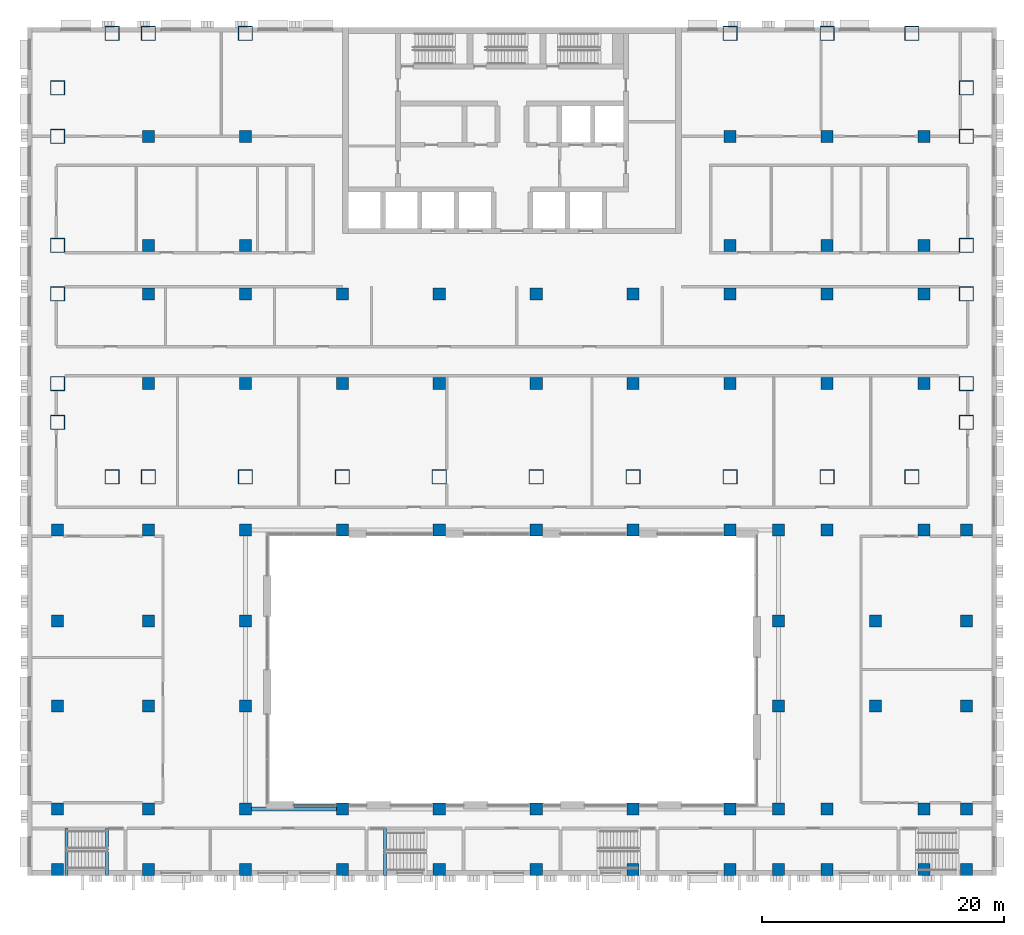
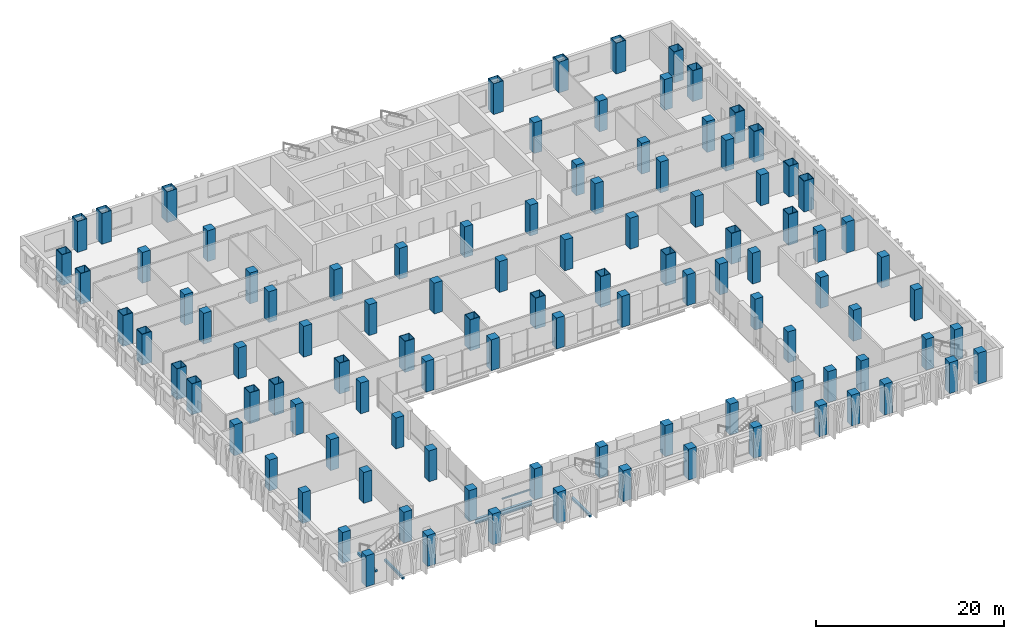
# One storey, part 1 of 26: 104 columns, 4 beams, 1 member, 1 element without a shape of its own.
"""IFC4 building model written with IfcOpenShell, lengths in metres."""

import ifcopenshell
import ifcopenshell.guid

model = None  # the IFC model being written
_history = None  # IfcOwnerHistory: only IFC2X3 demands one
_inside = {}  # id of a spatial element -> (the spatial element, [elements in it])
_under = {}  # id of a project, library or spatial element -> (it, [spatial elements below it])
_declared = {}  # id of a project -> (the project, [libraries it declares])
_typed = {}  # id of a type object -> (the type object, [elements of that type])
_made_of = {}  # id of a material, layer set ... -> (it, [elements and type objects made of it])


def new_model(schema):
    """Start an empty IFC model of exactly this schema.

    Asked for "IFC4X3", IfcOpenShell would pick the latest addendum, in which some entities
    have other attributes; the version numbers below select the first issue.
    IFC2X3 requires an IfcOwnerHistory on every rooted entity: one is made here for all.
    """
    global model, _history
    if schema == "IFC4X3":
        model = ifcopenshell.file(schema_version=(4, 3, 0, 0))
    else:
        model = ifcopenshell.file(schema=schema)
    _inside.clear()
    _under.clear()
    _declared.clear()
    _typed.clear()
    _made_of.clear()
    _history = None
    if model.schema == "IFC2X3":
        org = make("IfcOrganization", Name="unknown")
        user = make(
            "IfcPersonAndOrganization",
            ThePerson=make("IfcPerson", FamilyName="unknown"),
            TheOrganization=org,
        )
        app = make(
            "IfcApplication",
            ApplicationDeveloper=org,
            Version="unknown",
            ApplicationFullName="unknown",
            ApplicationIdentifier="unknown",
        )
        _history = make(
            "IfcOwnerHistory",
            OwningUser=user,
            OwningApplication=app,
            ChangeAction="ADDED",
            CreationDate=0,
        )
    return model


def make(cls, **values):
    """One entity of the class cls with the attributes given. An attribute that is None is left unset."""
    return model.create_entity(
        cls, **{name: value for name, value in values.items() if value is not None}
    )


def rooted(cls, **values):
    """An entity with a GlobalId (a new one), such as an element, a storey or a relation."""
    return make(cls, GlobalId=ifcopenshell.guid.new(), OwnerHistory=_history, **values)


def si_unit(unit_type, name, prefix=None):
    """IfcSIUnit, for example si_unit("LENGTHUNIT", "METRE", prefix="MILLI")."""
    return make("IfcSIUnit", UnitType=unit_type, Prefix=prefix, Name=name)


def assignment(units):
    """IfcUnitAssignment: the units of a project."""
    return None if units is None else make("IfcUnitAssignment", Units=units)


def point(xyz):
    """IfcCartesianPoint."""
    return None if xyz is None else make("IfcCartesianPoint", Coordinates=xyz)


def direction(xyz):
    """IfcDirection."""
    return None if xyz is None else make("IfcDirection", DirectionRatios=xyz)


def frame(location, z_axis=None, x_axis=None):
    """IfcAxis2Placement3D, a coordinate frame: its origin and axes. An axis left out is left unset."""
    return make(
        "IfcAxis2Placement3D",
        Location=point(location),
        Axis=direction(z_axis),
        RefDirection=direction(x_axis),
    )


def frame_2d(location, x_axis=None):
    """IfcAxis2Placement2D, a coordinate frame in the plane: its origin and x axis."""
    return make(
        "IfcAxis2Placement2D", Location=point(location), RefDirection=direction(x_axis)
    )


def origin():
    """The frame at (0, 0, 0) with its axes left unset."""
    return frame((0.0, 0.0, 0.0))


def origin_2d():
    """The frame at (0, 0) in the plane with its x axis left unset."""
    return frame_2d((0.0, 0.0))


def place(relative_to, where):
    """IfcLocalPlacement: puts the frame where relative to a parent placement (None: the world)."""
    return make(
        "IfcLocalPlacement", PlacementRelTo=relative_to, RelativePlacement=where
    )


def context(
    kind, dimensions, precision=None, world=None, true_north=None, identifier=None
):
    """IfcGeometricRepresentationContext, for example the 3D "Model" context."""
    return make(
        "IfcGeometricRepresentationContext",
        ContextIdentifier=identifier,
        ContextType=kind,
        CoordinateSpaceDimension=dimensions,
        Precision=precision,
        WorldCoordinateSystem=world,
        TrueNorth=true_north,
    )


def subcontext(parent, identifier, kind, view, scale=None):
    """IfcGeometricRepresentationSubContext, for example "Body" below "Model"."""
    return make(
        "IfcGeometricRepresentationSubContext",
        ContextIdentifier=identifier,
        ContextType=kind,
        ParentContext=parent,
        TargetScale=scale,
        TargetView=view,
    )


def project(units=None, contexts=None):
    """IfcProject with its units and contexts."""
    return rooted(
        "IfcProject",
        Name="project",
        RepresentationContexts=contexts,
        UnitsInContext=assignment(units),
    )


def spatial(cls, under=None, at=None, **own):
    """A site, building, storey or space (cls), placed at a placement, below another one or the project."""
    s = rooted(cls, ObjectPlacement=at, **own)
    if under is not None:
        _under.setdefault(under.id(), (under, []))[1].append(s)
    return s


def profile(cls, at=None, kind="AREA", **sizes):
    """A parametric profile (cls). Its sizes go by their IFC names, for example OverallWidth=200.0."""
    return make(cls, ProfileType=kind, Position=at, **sizes)


def rectangle(**sizes):
    """IfcRectangleProfileDef."""
    return profile("IfcRectangleProfileDef", **sizes)


def hollow_rectangle(**sizes):
    """IfcRectangleHollowProfileDef."""
    return profile("IfcRectangleHollowProfileDef", **sizes)


def i_section(**sizes):
    """IfcIShapeProfileDef."""
    return profile("IfcIShapeProfileDef", **sizes)


def extrude(swept, where, along, depth):
    """IfcExtrudedAreaSolid: the profile swept, set in the frame where, extruded along a direction by depth."""
    return make(
        "IfcExtrudedAreaSolid",
        SweptArea=swept,
        Position=where,
        ExtrudedDirection=direction(along),
        Depth=depth,
    )


def shape(context_of_items, identifier, shape_type, items):
    """IfcShapeRepresentation: the items that make up one representation, for example the "Body"."""
    return make(
        "IfcShapeRepresentation",
        ContextOfItems=context_of_items,
        RepresentationIdentifier=identifier,
        RepresentationType=shape_type,
        Items=items,
    )


def material(Name=None, Category=None):
    """IfcMaterial."""
    return make("IfcMaterial", Name=Name, Category=Category)


def material_profile(
    of_material, cross_section, Name=None, Category=None, Priority=None
):
    """IfcMaterialProfile: a cross section and its material."""
    return make(
        "IfcMaterialProfile",
        Name=Name,
        Material=of_material,
        Profile=cross_section,
        Priority=Priority,
        Category=Category,
    )


def profile_set(profiles, Name=None, composite=None):
    """IfcMaterialProfileSet."""
    return make(
        "IfcMaterialProfileSet",
        Name=Name,
        MaterialProfiles=profiles,
        CompositeProfile=composite,
    )


def made_of(thing, what):
    """Note that an element or type object is made of a material, layer set ...; save() writes the relation."""
    if what is not None:
        _made_of.setdefault(what.id(), (what, []))[1].append(thing)
    return thing


def type_object(cls, material=None, **own):
    """A type object (cls), such as IfcWallType, which elements share."""
    return made_of(rooted(cls, **own), material)


def element(
    cls,
    number,
    at=None,
    inside=None,
    cuts=None,
    type_object=None,
    material=None,
    context=None,
    identifier="Body",
    shape_type=None,
    held_by="IfcProductDefinitionShape",
    body=None,
    shapes=None,
    **own,
):
    """One element of the class cls, such as IfcWall. Its Tag is "e" and its number.

    at: its placement. inside: the storey or other place that contains it. cuts: it is an
    opening in that element (IfcRelVoidsElement). A single representation is given by context,
    identifier, shape_type and body (its items); several are given by shapes. held_by: the class
    of the entity that holds the representations. save() writes the other relations.
    """
    e = rooted(cls, Tag="e%d" % number, ObjectPlacement=at, **own)
    if body is not None:
        shapes = [shape(context, identifier, shape_type, body)]
    if shapes is not None:
        e.Representation = make(held_by, Representations=shapes)
    if inside is not None:
        _inside.setdefault(inside.id(), (inside, []))[1].append(e)
    if cuts is not None:
        rooted(
            "IfcRelVoidsElement", RelatingBuildingElement=cuts, RelatedOpeningElement=e
        )
    if type_object is not None:
        _typed.setdefault(type_object.id(), (type_object, []))[1].append(e)
    return made_of(e, material)


def aggregate(whole, parts):
    """IfcRelAggregates: a whole, such as a stair, and the parts it consists of."""
    return rooted("IfcRelAggregates", RelatingObject=whole, RelatedObjects=parts)


def save(model, path):
    """Write the relations noted so far, then the file.

    IfcRelAggregates (storeys below a building ...), IfcRelContainedInSpatialStructure (elements
    in a storey), IfcRelDefinesByType, IfcRelAssociatesMaterial and IfcRelDeclares: one each for
    every whole, place, type object, material and project.
    """
    for whole, parts in _under.values():
        aggregate(whole, parts)
    for where, things in _inside.values():
        rooted(
            "IfcRelContainedInSpatialStructure",
            RelatedElements=things,
            RelatingStructure=where,
        )
    for kind, things in _typed.values():
        rooted("IfcRelDefinesByType", RelatedObjects=things, RelatingType=kind)
    for what, things in _made_of.values():
        rooted("IfcRelAssociatesMaterial", RelatedObjects=things, RelatingMaterial=what)
    for by, libraries in _declared.values():
        rooted("IfcRelDeclares", RelatingContext=by, RelatedDefinitions=libraries)
    model.write(path)


model = new_model("IFC4")

# Units and contexts
model_context = context("Model", 3, precision=1e-05, world=origin(), true_north=direction((0.0, 1.0)))
body_context = subcontext(model_context, "Body", "Model", "MODEL_VIEW")
ifc_project = project(units=[si_unit("LENGTHUNIT", "METRE"), si_unit("AREAUNIT", "SQUARE_METRE"), si_unit("VOLUMEUNIT", "CUBIC_METRE"), si_unit("PLANEANGLEUNIT", "RADIAN"), si_unit("MASSUNIT", "GRAM", prefix="KILO")], contexts=[model_context])

# Site, building, storey
site_placement = place(None, origin())
site = spatial("IfcSite", under=ifc_project, at=site_placement, CompositionType="ELEMENT")
building_placement = place(site_placement, origin())
building = spatial("IfcBuilding", under=site, at=building_placement, Name="Vidyagriha Tower", CompositionType="ELEMENT")
storey_placement = place(building_placement, frame((0.0, 0.0, 6.0)))
storey = spatial("IfcBuildingStorey", under=building, at=storey_placement, Name="L01", CompositionType="ELEMENT", Elevation=6.0)

# Columns
ifc_material_1 = material(Name="Steel ASTM A572 Grade 50", Category="steel")
ifc_material_profile_1 = material_profile(ifc_material_1, hollow_rectangle(XDim=1.199951171875, YDim=1.199951171875, WallThickness=0.06005859375, at=origin_2d()), Name="BOX 1200x1200x60")
ifc_profile_set_1 = profile_set([ifc_material_profile_1], Name="Steel ASTM A572 Grade 50")
column_type_1 = type_object("IfcColumnType", Name="Exoskeleton column BOX 1200x1200x60", PredefinedType="COLUMN", material=ifc_profile_set_1)
for number, where, name in (
    (1, (-33.0, -17.10009765625, 0.0), "st-col-L01-B1-001"),
    (2, (-30.0, -17.10009765625, 0.0), "st-col-L01-B1-002"),
    (3, (-22.0, -17.10009765625, 0.0), "st-col-L01-B1-003"),
    (4, (-14.0, -17.10009765625, 0.0), "st-col-L01-B1-004"),
    (5, (-6.0, -17.10009765625, 0.0), "st-col-L01-B1-005"),
    (6, (2.0, -17.10009765625, 0.0), "st-col-L01-B1-006"),
    (7, (10.0, -17.10009765625, 0.0), "st-col-L01-B1-007"),
    (8, (18.0, -17.10009765625, 0.0), "st-col-L01-B1-008"),
    (9, (26.0, -17.10009765625, 0.0), "st-col-L01-B1-009"),
    (10, (33.0, -17.10009765625, 0.0), "st-col-L01-B1-010"),
    (11, (-37.5, -12.60009765625, 0.0), "st-col-L01-B1-011"),
    (12, (37.5, -12.60009765625, 0.0), "st-col-L01-B1-012"),
    (13, (-37.5, -9.39990234375, 0.0), "st-col-L01-B1-013"),
    (14, (37.5, -9.39990234375, 0.0), "st-col-L01-B1-023"),
    (15, (-37.5, -2.0, 0.0), "st-col-L01-B1-024"),
    (16, (37.5, -2.0, 0.0), "st-col-L01-B1-034"),
    (17, (-37.5, 2.0, 0.0), "st-col-L01-B1-035"),
    (18, (37.5, 2.0, 0.0), "st-col-L01-B1-041"),
    (19, (-37.5, 11.0, 0.0), "st-col-L01-B1-042"),
    (20, (37.5, 11.0, 0.0), "st-col-L01-B1-048"),
    (21, (-37.5, 15.0, 0.0), "st-col-L01-B1-049"),
    (22, (37.5, 15.0, 0.0), "st-col-L01-B1-050"),
    (23, (-33.0, 19.5, 0.0), "st-col-L01-B1-051"),
    (24, (-30.0, 19.5, 0.0), "st-col-L01-B1-052"),
    (25, (-22.0, 19.5, 0.0), "st-col-L01-B1-053"),
    (26, (18.0, 19.5, 0.0), "st-col-L01-B1-054"),
    (27, (26.0, 19.5, 0.0), "st-col-L01-B1-055"),
    (28, (33.0, 19.5, 0.0), "st-col-L01-B1-056"),
):
    element("IfcColumn", number, at=place(storey_placement, frame(where)), inside=storey, type_object=column_type_1, Name=name, PredefinedType="COLUMN", context=body_context, shape_type="SweptSolid", body=[
        extrude(hollow_rectangle(XDim=1.199951171875, YDim=1.199951171875, WallThickness=0.06005859375, at=origin_2d()), origin(), (0.0, 0.0, 1.0), 4.0),
    ])
ifc_material_2 = material(Name="Concrete C80/95", Category="concrete")
ifc_material_profile_2 = material_profile(ifc_material_2, rectangle(XDim=1.0, YDim=1.0, at=origin_2d()), Name="RC 1000x1000")
ifc_profile_set_2 = profile_set([ifc_material_profile_2], Name="Concrete C80/95")
column_type_2 = type_object("IfcColumnType", Name="Frame column RC 1000x1000", PredefinedType="COLUMN", material=ifc_profile_set_2)
for number, where, name in (
    (29, (-30.0, -9.39990234375, 0.0), "st-col-L01-B1-014"),
    (30, (-22.0, -9.39990234375, 0.0), "st-col-L01-B1-015"),
    (31, (-14.0, -9.39990234375, 0.0), "st-col-L01-B1-016"),
    (32, (-6.0, -9.39990234375, 0.0), "st-col-L01-B1-017"),
    (33, (2.0, -9.39990234375, 0.0), "st-col-L01-B1-018"),
    (34, (10.0, -9.39990234375, 0.0), "st-col-L01-B1-019"),
    (35, (18.0, -9.39990234375, 0.0), "st-col-L01-B1-020"),
    (36, (26.0, -9.39990234375, 0.0), "st-col-L01-B1-021"),
    (37, (34.0, -9.39990234375, 0.0), "st-col-L01-B1-022"),
    (38, (-30.0, -2.0, 0.0), "st-col-L01-B1-025"),
    (39, (-22.0, -2.0, 0.0), "st-col-L01-B1-026"),
    (40, (-14.0, -2.0, 0.0), "st-col-L01-B1-027"),
    (41, (-6.0, -2.0, 0.0), "st-col-L01-B1-028"),
    (42, (2.0, -2.0, 0.0), "st-col-L01-B1-029"),
    (43, (10.0, -2.0, 0.0), "st-col-L01-B1-030"),
    (44, (18.0, -2.0, 0.0), "st-col-L01-B1-031"),
    (45, (26.0, -2.0, 0.0), "st-col-L01-B1-032"),
    (46, (34.0, -2.0, 0.0), "st-col-L01-B1-033"),
    (47, (-30.0, 2.0, 0.0), "st-col-L01-B1-036"),
    (48, (-22.0, 2.0, 0.0), "st-col-L01-B1-037"),
    (49, (18.0, 2.0, 0.0), "st-col-L01-B1-038"),
    (50, (26.0, 2.0, 0.0), "st-col-L01-B1-039"),
    (51, (34.0, 2.0, 0.0), "st-col-L01-B1-040"),
    (52, (-30.0, 11.0, 0.0), "st-col-L01-B1-043"),
    (53, (-22.0, 11.0, 0.0), "st-col-L01-B1-044"),
    (54, (18.0, 11.0, 0.0), "st-col-L01-B1-045"),
    (55, (26.0, 11.0, 0.0), "st-col-L01-B1-046"),
    (56, (34.0, 11.0, 0.0), "st-col-L01-B1-047"),
):
    element("IfcColumn", number, at=place(storey_placement, frame(where)), inside=storey, type_object=column_type_2, Name=name, PredefinedType="COLUMN", context=body_context, shape_type="SweptSolid", body=[
        extrude(rectangle(XDim=1.0, YDim=1.0, at=origin_2d()), origin(), (0.0, 0.0, 1.0), 4.0),
    ])
ifc_material_3 = material(Name="Concrete C80/95", Category="concrete")
ifc_material_profile_3 = material_profile(ifc_material_3, rectangle(XDim=1.0, YDim=1.0, at=origin_2d()), Name="RC 1000x1000")
ifc_profile_set_3 = profile_set([ifc_material_profile_3], Name="Concrete C80/95")
column_type_3 = type_object("IfcColumnType", Name="Podium column RC 1000x1000", PredefinedType="COLUMN", material=ifc_profile_set_3)
for number, where, name in (
    (57, (-37.5, -49.5, 0.0), "st-col-L01-P-057"),
    (58, (-30.0, -49.5, 0.0), "st-col-L01-P-058"),
    (59, (-22.0, -49.5, 0.0), "st-col-L01-P-059"),
    (60, (-14.0, -49.5, 0.0), "st-col-L01-P-060"),
    (61, (-6.0, -49.5, 0.0), "st-col-L01-P-061"),
    (62, (2.0, -49.5, 0.0), "st-col-L01-P-062"),
    (63, (10.0, -49.5, 0.0), "st-col-L01-P-063"),
    (64, (18.0, -49.5, 0.0), "st-col-L01-P-064"),
    (65, (22.0, -49.5, 0.0), "st-col-L01-P-065"),
    (66, (26.0, -49.5, 0.0), "st-col-L01-P-066"),
    (67, (34.0, -49.5, 0.0), "st-col-L01-P-067"),
    (68, (37.5, -49.5, 0.0), "st-col-L01-P-068"),
    (69, (-37.5, -44.5, 0.0), "st-col-L01-P-069"),
    (70, (-30.0, -44.5, 0.0), "st-col-L01-P-070"),
    (71, (-22.0, -44.5, 0.0), "st-col-L01-P-071"),
    (72, (-14.0, -44.5, 0.0), "st-col-L01-P-072"),
    (73, (-6.0, -44.5, 0.0), "st-col-L01-P-073"),
    (74, (2.0, -44.5, 0.0), "st-col-L01-P-074"),
    (75, (10.0, -44.5, 0.0), "st-col-L01-P-075"),
    (76, (18.0, -44.5, 0.0), "st-col-L01-P-076"),
    (77, (22.0, -44.5, 0.0), "st-col-L01-P-077"),
    (78, (26.0, -44.5, 0.0), "st-col-L01-P-078"),
    (79, (34.0, -44.5, 0.0), "st-col-L01-P-079"),
    (80, (37.5, -44.5, 0.0), "st-col-L01-P-080"),
    (81, (-37.5, -36.0, 0.0), "st-col-L01-P-081"),
    (82, (-30.0, -36.0, 0.0), "st-col-L01-P-082"),
    (83, (-22.0, -36.0, 0.0), "st-col-L01-P-083"),
    (84, (22.0, -36.0, 0.0), "st-col-L01-P-084"),
    (85, (30.0, -36.0, 0.0), "st-col-L01-P-085"),
    (86, (37.5, -36.0, 0.0), "st-col-L01-P-086"),
    (87, (-37.5, -29.0, 0.0), "st-col-L01-P-087"),
    (88, (-30.0, -29.0, 0.0), "st-col-L01-P-088"),
    (89, (-22.0, -29.0, 0.0), "st-col-L01-P-089"),
    (90, (22.0, -29.0, 0.0), "st-col-L01-P-090"),
    (91, (30.0, -29.0, 0.0), "st-col-L01-P-091"),
    (92, (37.5, -29.0, 0.0), "st-col-L01-P-092"),
    (93, (-37.5, -21.5, 0.0), "st-col-L01-P-093"),
    (94, (-30.0, -21.5, 0.0), "st-col-L01-P-094"),
    (95, (-22.0, -21.5, 0.0), "st-col-L01-P-095"),
    (96, (-14.0, -21.5, 0.0), "st-col-L01-P-096"),
    (97, (-6.0, -21.5, 0.0), "st-col-L01-P-097"),
    (98, (2.0, -21.5, 0.0), "st-col-L01-P-098"),
    (99, (10.0, -21.5, 0.0), "st-col-L01-P-099"),
    (100, (18.0, -21.5, 0.0), "st-col-L01-P-100"),
    (101, (22.0, -21.5, 0.0), "st-col-L01-P-101"),
    (102, (26.0, -21.5, 0.0), "st-col-L01-P-102"),
    (103, (34.0, -21.5, 0.0), "st-col-L01-P-103"),
    (104, (37.5, -21.5, 0.0), "st-col-L01-P-104"),
):
    element("IfcColumn", number, at=place(storey_placement, frame(where)), inside=storey, type_object=column_type_3, Name=name, PredefinedType="COLUMN", context=body_context, shape_type="SweptSolid", body=[
        extrude(rectangle(XDim=1.0, YDim=1.0, at=origin_2d()), origin(), (0.0, 0.0, 1.0), 4.0),
    ])

# Beams
ifc_material_4 = material(Name="Steel ASTM A992 Grade 50", Category="steel")
ifc_material_profile_4 = material_profile(ifc_material_4, i_section(OverallWidth=0.32373046875, OverallDepth=0.612060546875, WebThickness=0.0126953125, FlangeThickness=0.01904296875, at=origin_2d()), Name="W24X104")
ifc_profile_set_4 = profile_set([ifc_material_profile_4], Name="Steel ASTM A992 Grade 50")
beam_type_1 = type_object("IfcBeamType", Name="Atrium edge beam W24X104", PredefinedType="BEAM", material=ifc_profile_set_4)
beam_placement = place(storey_placement, frame((-21.5, -44.5, -0.60595703125), z_axis=(1.0, 0.0, 0.0), x_axis=(0.0, 1.0, 0.0)))
element("IfcBeam", 105, at=beam_placement, inside=storey, type_object=beam_type_1, Name="st-beam-L01-AT01", PredefinedType="BEAM", context=body_context, shape_type="SweptSolid", body=[
    extrude(i_section(OverallWidth=0.32373046875, OverallDepth=0.612060546875, WebThickness=0.0126953125, FlangeThickness=0.01904296875, at=origin_2d()), origin(), (0.0, 0.0, 1.0), 7.0),
])
ifc_material_5 = material(Name="Concrete C40/50", Category="concrete")
ifc_material_profile_5 = material_profile(ifc_material_5, rectangle(XDim=0.25, YDim=0.300048828125, at=origin_2d()), Name="Stair landing bearing beam 250x300")
ifc_profile_set_5 = profile_set([ifc_material_profile_5], Name="Concrete C40/50")
beam_type_2 = type_object("IfcBeamType", Name="Stair landing bearing beam 250x300", PredefinedType="BEAM", material=ifc_profile_set_5)
for number, where, z_axis, x_axis, name in (
    (106, (-33.419921875, -50.0, -0.449951171875), (0.0, 1.0, 0.0), (-1.0, 0.0, 0.0), "PS1 floor landing bearing beam L01"),
    (107, (-36.760009765625, -50.0, 1.64990234375), (0.0, 1.0, 0.0), (-1.0, 0.0, 0.0), "PS1 landing bearing beam L01"),
    (108, (-10.47998046875, -50.0, -0.449951171875), (0.0, 1.0, 0.0), (-1.0, 0.0, 0.0), "PS3 floor landing bearing beam L01"),
):
    element("IfcBeam", number, at=place(storey_placement, frame(where, z_axis=z_axis, x_axis=x_axis)), inside=storey, type_object=beam_type_2, Name=name, PredefinedType="BEAM", context=body_context, shape_type="SweptSolid", body=[
        extrude(rectangle(XDim=0.25, YDim=0.300048828125, at=origin_2d()), origin(), (0.0, 0.0, 1.0), 3.89990234375),
    ])

# Curtain wall, member
ifc_material_6 = material(Name="Aluminium and glass curtain wall", Category="aluminium")
curtain_wall_type = type_object("IfcCurtainWallType", Name="Atrium screen curtain wall", PredefinedType="USERDEFINED", material=ifc_material_6)
curtain_wall_placement = place(storey_placement, origin())
curtain_wall = element("IfcCurtainWall", 109, at=curtain_wall_placement, inside=storey, type_object=curtain_wall_type, Name="CW6 atrium screen", ObjectType="UNITISED", PredefinedType="USERDEFINED")
ifc_material_7 = material(Name="Aluminium black anodised", Category="aluminium")
ifc_material_profile_6 = material_profile(ifc_material_7, rectangle(XDim=0.159912109375, YDim=0.10009765625, at=origin_2d()), Name="Transom 100x160 black aluminium")
ifc_profile_set_6 = profile_set([ifc_material_profile_6], Name="Aluminium black anodised")
member_type = type_object("IfcMemberType", Name="Transom 100x160 black aluminium", PredefinedType="USERDEFINED", material=ifc_profile_set_6)
member_placement = place(storey_placement, frame((-14.60009765625, -44.199951171875, 0.89990234375), z_axis=(-1.0, 0.0, 0.0), x_axis=(0.0, -1.0, 0.0)))
member = element("IfcMember", 110, at=member_placement, type_object=member_type, Name="CW6 transom 1.1", ObjectType="TRANSOM", PredefinedType="USERDEFINED", context=body_context, shape_type="SweptSolid", body=[
    extrude(rectangle(XDim=0.159912109375, YDim=0.10009765625, at=origin_2d()), origin(), (0.0, 0.0, 1.0), 3.39990234375),
])
aggregate(curtain_wall, [member])

save(model, "model.ifc")
